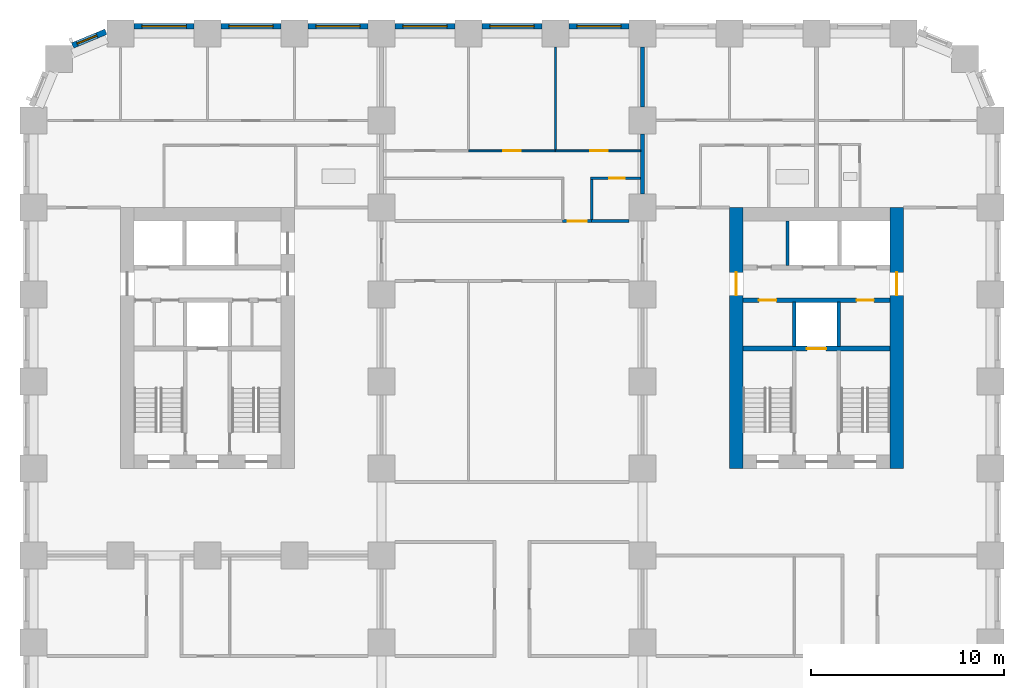
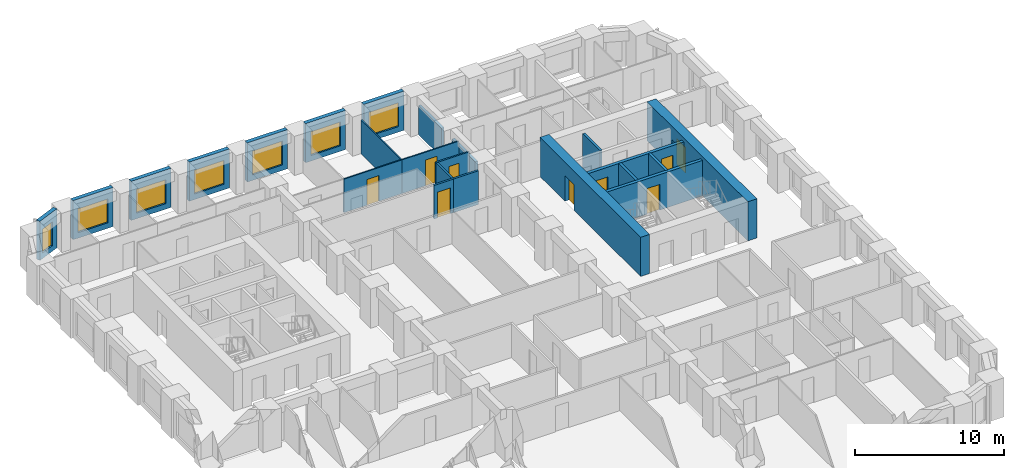
# One storey, part 8 of 13: 23 walls, 9 doors, 7 windows, 16 openings.
"""IFC4 building model written with IfcOpenShell, lengths in metres."""

from ifc_helpers import new_model, si_unit, direction, frame, frame_2d, origin, place, context, subcontext, project, spatial, rectangle, extrude, material, layer, layer_set, type_object, element, fill, save


model = new_model("IFC4")

# Units and contexts
model_context = context("Model", 3, precision=1e-05, world=origin(), true_north=direction((0.0, 1.0)))
body_context = subcontext(model_context, "Body", "Model", "MODEL_VIEW")
ifc_project = project(units=[si_unit("LENGTHUNIT", "METRE"), si_unit("AREAUNIT", "SQUARE_METRE"), si_unit("VOLUMEUNIT", "CUBIC_METRE"), si_unit("PLANEANGLEUNIT", "RADIAN"), si_unit("MASSUNIT", "GRAM", prefix="KILO")], contexts=[model_context])

# Site, building, storey
site_placement = place(None, origin())
site = spatial("IfcSite", under=ifc_project, at=site_placement, CompositionType="ELEMENT")
building_placement = place(site_placement, origin())
building = spatial("IfcBuilding", under=site, at=building_placement, Name="Girih Gate Residences", CompositionType="ELEMENT")
storey_placement = place(building_placement, frame((0.0, 0.0, 46.39990234375)))
storey = spatial("IfcBuildingStorey", under=building, at=storey_placement, Name="L11", CompositionType="ELEMENT", Elevation=46.39990234375)

# Wall
ifc_material_1 = material(Name="Gypsum board on steel studs", Category="steel")
ifc_layer_1 = layer(ifc_material_1, 0.14990234375)
ifc_layer_set_1 = layer_set([ifc_layer_1], Name="Compartment wall 150 mm")
wall_type_1 = type_object("IfcWallType", Name="Compartment wall 150 mm", PredefinedType="PARTITIONING", material=ifc_layer_set_1)
wall_1_placement = place(storey_placement, frame((28.875, 39.800048828125, 0.0), z_axis=(0.0, 0.0, 1.0), x_axis=(1.0, 0.0, 0.0)))
element("IfcWall", 1, at=wall_1_placement, inside=storey, type_object=wall_type_1, Name="L11 partition", PredefinedType="PARTITIONING", context=body_context, shape_type="SweptSolid", body=[
    extrude(rectangle(XDim=1.925048828125, YDim=0.14990234375, at=frame_2d((0.96240234375, 0.0))), origin(), (0.0, 0.0, 1.0), 2.75),
])

# Wall, opening, door
wall_2_placement = place(storey_placement, frame((27.375, 39.800048828125, 0.0), z_axis=(0.0, 0.0, 1.0), x_axis=(1.0, 0.0, 0.0)))
wall_2 = element("IfcWall", 2, at=wall_2_placement, inside=storey, type_object=wall_type_1, Name="L11 partition", PredefinedType="PARTITIONING", context=body_context, shape_type="SweptSolid", body=[
    extrude(rectangle(XDim=1.5, YDim=0.14990234375, at=frame_2d((0.75, 0.0))), origin(), (0.0, 0.0, 1.0), 2.75),
])
opening_1_placement = place(wall_2_placement, frame((0.25, 0.0, 0.0)))
opening_1 = element("IfcOpeningElement", 3, at=opening_1_placement, cuts=wall_2, Name="Opening A11-043", PredefinedType="OPENING", context=body_context, shape_type="SweptSolid", body=[
    extrude(rectangle(XDim=1.0, YDim=2.10009765625, at=frame_2d((0.5, 1.050048828125))), frame((0.0, 0.0849609375, 0.0), z_axis=(0.0, -1.0, 0.0), x_axis=(1.0, 0.0, 0.0)), (0.0, 0.0, 1.0), 0.169921875),
])
ifc_material_2 = material(Name="Timber, fire-rated core", Category="wood")
door_type_1 = type_object("IfcDoorType", Name="Flat entrance door 1000x2100 FD30S", OperationType="NOTDEFINED", PredefinedType="DOOR", material=ifc_material_2)
door_1_placement = place(opening_1_placement, origin())
door_1 = element("IfcDoor", 4, at=door_1_placement, inside=storey, type_object=door_type_1, Name="Door A11-043", OperationType="SINGLE_SWING_RIGHT", OverallHeight=2.10009765625, OverallWidth=1.0, PredefinedType="DOOR", context=body_context, shape_type="SweptSolid", body=[
    extrude(rectangle(XDim=1.0, YDim=2.10009765625, at=frame_2d((0.5, 1.050048828125))), frame((0.0, 0.02490234375, 0.0), z_axis=(0.0, -1.0, 0.0), x_axis=(1.0, 0.0, 0.0)), (0.0, 0.0, 1.0), 0.050048828125),
])
fill(opening_1, door_1)

ifc_material_3 = material(Name="Concrete C60/75", Category="concrete")
ifc_layer_2 = layer(ifc_material_3, 0.699951171875)
ifc_layer_set_2 = layer_set([ifc_layer_2], Name="Core wall RC 700 Concrete C60/75")
wall_type_2 = type_object("IfcWallType", Name="Core wall RC 700 Concrete C60/75", PredefinedType="SOLIDWALL", material=ifc_layer_set_2)
wall_3_placement = place(storey_placement, frame((36.35009765625, 27.0, 0.0), z_axis=(0.0, 0.0, 1.0), x_axis=(0.0, 1.0, 0.0)))
wall_3 = element("IfcWall", 5, at=wall_3_placement, inside=storey, type_object=wall_type_2, Name="Core wall E-W L11", PredefinedType="SOLIDWALL", context=body_context, shape_type="SweptSolid", body=[
    extrude(rectangle(XDim=13.5, YDim=0.699951171875, at=frame_2d((6.75, 0.0))), origin(), (0.0, 0.0, 1.0), 3.2001953125),
])
opening_2_placement = place(wall_3_placement, frame((8.949951171875, 0.0, 0.0)))
opening_2 = element("IfcOpeningElement", 6, at=opening_2_placement, cuts=wall_3, Name="Opening D-L11-E-012", PredefinedType="OPENING", context=body_context, shape_type="SweptSolid", body=[
    extrude(rectangle(XDim=1.199951171875, YDim=2.10009765625, at=frame_2d((0.60009765625, 1.050048828125))), frame((0.0, 0.35986328125, 0.0), z_axis=(0.0, -1.0, 0.0), x_axis=(1.0, 0.0, 0.0)), (0.0, 0.0, 1.0), 0.719970703125),
])
ifc_material_4 = material(Name="Painted steel, fire-resisting", Category="steel")
door_type_2 = type_object("IfcDoorType", Name="Fire door 1200x2100", OperationType="SINGLE_SWING_LEFT", PredefinedType="DOOR", material=ifc_material_4)
door_2_placement = place(opening_2_placement, origin())
door_2 = element("IfcDoor", 7, at=door_2_placement, inside=storey, type_object=door_type_2, Name="L11 E core door ll-w", OperationType="SINGLE_SWING_LEFT", OverallHeight=2.10009765625, OverallWidth=1.199951171875, PredefinedType="DOOR", context=body_context, shape_type="SweptSolid", body=[
    extrude(rectangle(XDim=1.199951171875, YDim=2.10009765625, at=frame_2d((0.60009765625, 1.050048828125))), frame((0.0, 0.02490234375, 0.0), z_axis=(0.0, -1.0, 0.0), x_axis=(1.0, 0.0, 0.0)), (0.0, 0.0, 1.0), 0.050048828125),
])
fill(opening_2, door_2)

wall_4_placement = place(storey_placement, frame((44.64990234375, 27.0, 0.0), z_axis=(0.0, 0.0, 1.0), x_axis=(0.0, 1.0, 0.0)))
wall_4 = element("IfcWall", 8, at=wall_4_placement, inside=storey, type_object=wall_type_2, Name="Core wall E-E L11", PredefinedType="SOLIDWALL", context=body_context, shape_type="SweptSolid", body=[
    extrude(rectangle(XDim=13.5, YDim=0.699951171875, at=frame_2d((6.75, 0.0))), origin(), (0.0, 0.0, 1.0), 3.2001953125),
])
opening_3_placement = place(wall_4_placement, frame((8.949951171875, 0.0, 0.0)))
opening_3 = element("IfcOpeningElement", 9, at=opening_3_placement, cuts=wall_4, Name="Opening D-L11-E-013", PredefinedType="OPENING", context=body_context, shape_type="SweptSolid", body=[
    extrude(rectangle(XDim=1.199951171875, YDim=2.10009765625, at=frame_2d((0.60009765625, 1.050048828125))), frame((0.0, 0.35986328125, 0.0), z_axis=(0.0, -1.0, 0.0), x_axis=(1.0, 0.0, 0.0)), (0.0, 0.0, 1.0), 0.719970703125),
])
door_3_placement = place(opening_3_placement, origin())
door_3 = element("IfcDoor", 10, at=door_3_placement, inside=storey, type_object=door_type_2, Name="L11 E core door ll-e", OperationType="SINGLE_SWING_LEFT", OverallHeight=2.10009765625, OverallWidth=1.199951171875, PredefinedType="DOOR", context=body_context, shape_type="SweptSolid", body=[
    extrude(rectangle(XDim=1.199951171875, YDim=2.10009765625, at=frame_2d((0.60009765625, 1.050048828125))), frame((0.0, 0.02490234375, 0.0), z_axis=(0.0, -1.0, 0.0), x_axis=(1.0, 0.0, 0.0)), (0.0, 0.0, 1.0), 0.050048828125),
])
fill(opening_3, door_3)

ifc_material_5 = material(Name="Concrete C40/50", Category="concrete")
ifc_layer_3 = layer(ifc_material_5, 0.25)
ifc_layer_set_3 = layer_set([ifc_layer_3], Name="Lift shaft wall 250")
wall_type_3 = type_object("IfcWallType", Name="Lift shaft wall 250", PredefinedType="SOLIDWALL", material=ifc_layer_set_3)
wall_5_placement = place(storey_placement, frame((36.699951171875, 33.199951171875, 0.0), z_axis=(0.0, 0.0, 1.0), x_axis=(1.0, 0.0, 0.0)))
wall_5 = element("IfcWall", 11, at=wall_5_placement, inside=storey, type_object=wall_type_3, Name="L11 E core wall H1", PredefinedType="SOLIDWALL", context=body_context, shape_type="SweptSolid", body=[
    extrude(rectangle(XDim=7.60009765625, YDim=0.25, at=frame_2d((3.800048828125, 0.0))), origin(), (0.0, 0.0, 1.0), 2.900146484375),
])
opening_4_placement = place(wall_5_placement, frame((3.300048828125, 0.0, 0.0)))
opening_4 = element("IfcOpeningElement", 12, at=opening_4_placement, cuts=wall_5, Name="Opening D-L11-E-005", PredefinedType="OPENING", context=body_context, shape_type="SweptSolid", body=[
    extrude(rectangle(XDim=1.0, YDim=2.10009765625, at=frame_2d((0.5, 1.050048828125))), frame((0.0, 0.135009765625, 0.0), z_axis=(0.0, -1.0, 0.0), x_axis=(1.0, 0.0, 0.0)), (0.0, 0.0, 1.0), 0.27001953125),
])
ifc_material_6 = material(Name="Stainless steel, fire-resisting", Category="steel")
door_type_3 = type_object("IfcDoorType", Name="Firefighting lift landing door 1000x2100", OperationType="SLIDING_TO_LEFT", PredefinedType="DOOR", material=ifc_material_6)
door_4_placement = place(opening_4_placement, origin())
door_4 = element("IfcDoor", 13, at=door_4_placement, inside=storey, type_object=door_type_3, Name="L11 lift FF-E landing door", OperationType="SLIDING_TO_LEFT", OverallHeight=2.10009765625, OverallWidth=1.0, PredefinedType="DOOR", context=body_context, shape_type="SweptSolid", body=[
    extrude(rectangle(XDim=1.0, YDim=2.10009765625, at=frame_2d((0.5, 1.050048828125))), frame((0.0, 0.02490234375, 0.0), z_axis=(0.0, -1.0, 0.0), x_axis=(1.0, 0.0, 0.0)), (0.0, 0.0, 1.0), 0.050048828125),
])
fill(opening_4, door_4)

# Wall, openings, doors
wall_6_placement = place(storey_placement, frame((36.699951171875, 35.699951171875, 0.0), z_axis=(0.0, 0.0, 1.0), x_axis=(1.0, 0.0, 0.0)))
wall_6 = element("IfcWall", 14, at=wall_6_placement, inside=storey, type_object=wall_type_3, Name="L11 E core wall H2", PredefinedType="SOLIDWALL", context=body_context, shape_type="SweptSolid", body=[
    extrude(rectangle(XDim=7.60009765625, YDim=0.25, at=frame_2d((3.800048828125, 0.0))), origin(), (0.0, 0.0, 1.0), 2.900146484375),
])
opening_5_placement = place(wall_6_placement, frame((5.875, 0.0, 0.0)))
opening_5 = element("IfcOpeningElement", 15, at=opening_5_placement, cuts=wall_6, Name="Opening D-L11-E-007", PredefinedType="OPENING", context=body_context, shape_type="SweptSolid", body=[
    extrude(rectangle(XDim=0.89990234375, YDim=2.10009765625, at=frame_2d((0.449951171875, 1.050048828125))), frame((0.0, 0.135009765625, 0.0), z_axis=(0.0, -1.0, 0.0), x_axis=(1.0, 0.0, 0.0)), (0.0, 0.0, 1.0), 0.27001953125),
])
opening_6_placement = place(wall_6_placement, frame((0.824951171875, 0.0, 0.0)))
opening_6 = element("IfcOpeningElement", 16, at=opening_6_placement, cuts=wall_6, Name="Opening D-L11-E-008", PredefinedType="OPENING", context=body_context, shape_type="SweptSolid", body=[
    extrude(rectangle(XDim=0.89990234375, YDim=2.10009765625, at=frame_2d((0.449951171875, 1.050048828125))), frame((0.0, 0.135009765625, 0.0), z_axis=(0.0, -1.0, 0.0), x_axis=(1.0, 0.0, 0.0)), (0.0, 0.0, 1.0), 0.27001953125),
])
door_type_4 = type_object("IfcDoorType", Name="Fire door 900x2100", OperationType="SINGLE_SWING_LEFT", PredefinedType="DOOR", material=ifc_material_4)
door_5_placement = place(opening_5_placement, origin())
door_5 = element("IfcDoor", 17, at=door_5_placement, inside=storey, type_object=door_type_4, Name="L11 E pantry door", OperationType="SINGLE_SWING_LEFT", OverallHeight=2.10009765625, OverallWidth=0.89990234375, PredefinedType="DOOR", context=body_context, shape_type="SweptSolid", body=[
    extrude(rectangle(XDim=0.89990234375, YDim=2.10009765625, at=frame_2d((0.449951171875, 1.050048828125))), frame((0.0, 0.02490234375, 0.0), z_axis=(0.0, -1.0, 0.0), x_axis=(1.0, 0.0, 0.0)), (0.0, 0.0, 1.0), 0.050048828125),
])
fill(opening_5, door_5)
door_6_placement = place(opening_6_placement, origin())
door_6 = element("IfcDoor", 18, at=door_6_placement, inside=storey, type_object=door_type_4, Name="L11 E comms room door", OperationType="SINGLE_SWING_LEFT", OverallHeight=2.10009765625, OverallWidth=0.89990234375, PredefinedType="DOOR", context=body_context, shape_type="SweptSolid", body=[
    extrude(rectangle(XDim=0.89990234375, YDim=2.10009765625, at=frame_2d((0.449951171875, 1.050048828125))), frame((0.0, 0.02490234375, 0.0), z_axis=(0.0, -1.0, 0.0), x_axis=(1.0, 0.0, 0.0)), (0.0, 0.0, 1.0), 0.050048828125),
])
fill(opening_6, door_6)

# Wall
ifc_layer_4 = layer(ifc_material_1, 0.10009765625)
ifc_layer_set_4 = layer_set([ifc_layer_4], Name="Partition 100 mm")
wall_type_4 = type_object("IfcWallType", Name="Partition 100 mm", PredefinedType="PARTITIONING", material=ifc_layer_set_4)
wall_7_placement = place(storey_placement, frame((27.0, 43.47998046875, 0.0), z_axis=(0.0, 0.0, 1.0), x_axis=(0.0, 1.0, 0.0)))
element("IfcWall", 19, at=wall_7_placement, inside=storey, type_object=wall_type_4, Name="L11 partition", PredefinedType="PARTITIONING", context=body_context, shape_type="SweptSolid", body=[
    extrude(rectangle(XDim=5.320068359375, YDim=0.10009765625, at=frame_2d((2.66015625, 0.0))), origin(), (0.0, 0.0, 1.0), 2.75),
])

# Wall, opening, door
wall_8_placement = place(storey_placement, frame((22.5, 43.429931640625, 0.0), z_axis=(0.0, 0.0, 1.0), x_axis=(1.0, 0.0, 0.0)))
wall_8 = element("IfcWall", 20, at=wall_8_placement, inside=storey, type_object=wall_type_4, Name="L11 partition", PredefinedType="PARTITIONING", context=body_context, shape_type="SweptSolid", body=[
    extrude(rectangle(XDim=4.5, YDim=0.10009765625, at=frame_2d((2.25, 0.0))), origin(), (0.0, 0.0, 1.0), 2.75),
])
opening_7_placement = place(wall_8_placement, frame((1.800048828125, 0.0, 0.0)))
opening_7 = element("IfcOpeningElement", 21, at=opening_7_placement, cuts=wall_8, Name="Opening A11-039", PredefinedType="OPENING", context=body_context, shape_type="SweptSolid", body=[
    extrude(rectangle(XDim=0.89990234375, YDim=2.10009765625, at=frame_2d((0.449951171875, 1.050048828125))), frame((0.0, 0.06005859375, 0.0), z_axis=(0.0, -1.0, 0.0), x_axis=(1.0, 0.0, 0.0)), (0.0, 0.0, 1.0), 0.1201171875),
])
ifc_material_7 = material(Name="Timber", Category="wood")
door_type_5 = type_object("IfcDoorType", Name="Bedroom door 900x2100", OperationType="NOTDEFINED", PredefinedType="DOOR", material=ifc_material_7)
door_7_placement = place(opening_7_placement, origin())
door_7 = element("IfcDoor", 22, at=door_7_placement, inside=storey, type_object=door_type_5, Name="Door A11-039", OperationType="SINGLE_SWING_LEFT", OverallHeight=2.10009765625, OverallWidth=0.89990234375, PredefinedType="DOOR", context=body_context, shape_type="SweptSolid", body=[
    extrude(rectangle(XDim=0.89990234375, YDim=2.10009765625, at=frame_2d((0.449951171875, 1.050048828125))), frame((0.0, 0.02490234375, 0.0), z_axis=(0.0, -1.0, 0.0), x_axis=(1.0, 0.0, 0.0)), (0.0, 0.0, 1.0), 0.050048828125),
])
fill(opening_7, door_7)

wall_9_placement = place(storey_placement, frame((27.0, 43.429931640625, 0.0), z_axis=(0.0, 0.0, 1.0), x_axis=(1.0, 0.0, 0.0)))
wall_9 = element("IfcWall", 23, at=wall_9_placement, inside=storey, type_object=wall_type_4, Name="L11 partition", PredefinedType="PARTITIONING", context=body_context, shape_type="SweptSolid", body=[
    extrude(rectangle(XDim=4.39990234375, YDim=0.10009765625, at=frame_2d((2.199951171875, 0.0))), origin(), (0.0, 0.0, 1.0), 2.75),
])
opening_8_placement = place(wall_9_placement, frame((1.800048828125, 0.0, 0.0)))
opening_8 = element("IfcOpeningElement", 24, at=opening_8_placement, cuts=wall_9, Name="Opening A11-040", PredefinedType="OPENING", context=body_context, shape_type="SweptSolid", body=[
    extrude(rectangle(XDim=0.89990234375, YDim=2.10009765625, at=frame_2d((0.449951171875, 1.050048828125))), frame((0.0, 0.06005859375, 0.0), z_axis=(0.0, -1.0, 0.0), x_axis=(1.0, 0.0, 0.0)), (0.0, 0.0, 1.0), 0.1201171875),
])
door_8_placement = place(opening_8_placement, origin())
door_8 = element("IfcDoor", 25, at=door_8_placement, inside=storey, type_object=door_type_5, Name="Door A11-040", OperationType="SINGLE_SWING_RIGHT", OverallHeight=2.10009765625, OverallWidth=0.89990234375, PredefinedType="DOOR", context=body_context, shape_type="SweptSolid", body=[
    extrude(rectangle(XDim=0.89990234375, YDim=2.10009765625, at=frame_2d((0.449951171875, 1.050048828125))), frame((0.0, 0.02490234375, 0.0), z_axis=(0.0, -1.0, 0.0), x_axis=(1.0, 0.0, 0.0)), (0.0, 0.0, 1.0), 0.050048828125),
])
fill(opening_8, door_8)

# Walls
ifc_layer_5 = layer(ifc_material_1, 0.199951171875)
ifc_layer_set_5 = layer_set([ifc_layer_5], Name="Party wall 200 mm")
wall_type_5 = type_object("IfcWallType", Name="Party wall 200 mm", PredefinedType="PARTITIONING", material=ifc_layer_set_5)
for number, where, z_axis, x_axis, name in (
    (26, (31.5, 41.199951171875, 0.0), (0.0, 0.0, 1.0), (0.0, 1.0, 0.0), "L11 partition"),
    (27, (31.5, 45.699951171875, 0.0), (0.0, 0.0, 1.0), (0.0, 1.0, 0.0), "L11 partition"),
):
    element("IfcWall", number, at=place(storey_placement, frame(where, z_axis=z_axis, x_axis=x_axis)), inside=storey, type_object=wall_type_5, Name=name, PredefinedType="PARTITIONING", context=body_context, shape_type="SweptSolid", body=[
        extrude(rectangle(XDim=3.10009765625, YDim=0.199951171875, at=frame_2d((1.550048828125, 0.0))), origin(), (0.0, 0.0, 1.0), 2.380126953125),
    ])

# Wall, opening, window
ifc_material_8 = material(Name="Precast concrete C50/60", Category="concrete")
ifc_layer_6 = layer(ifc_material_8, 0.080078125, Name="Outer leaf")
ifc_material_9 = material(Name="Rigid PIR insulation")
ifc_layer_7 = layer(ifc_material_9, 0.14990234375, Name="Insulation")
ifc_material_10 = material(Name="Precast concrete C40/50", Category="concrete")
ifc_layer_8 = layer(ifc_material_10, 0.070068359375, Name="Inner leaf")
ifc_layer_set_6 = layer_set([ifc_layer_6, ifc_layer_7, ifc_layer_8], Name="Precast concrete C50/60 external wall 300")
wall_type_6 = type_object("IfcWallType", Name="Precast concrete C50/60 external wall 300", PredefinedType="SOLIDWALL", material=ifc_layer_set_6)
wall_10_placement = place(storey_placement, frame((27.699951171875, 49.875, 0.0), z_axis=(0.0, 0.0, 1.0), x_axis=(1.0, 0.0, 0.0)))
wall_10 = element("IfcWall", 28, at=wall_10_placement, inside=storey, type_object=wall_type_6, Name="External wall N0450_0495.3", PredefinedType="SOLIDWALL", context=body_context, shape_type="SweptSolid", body=[
    extrude(rectangle(XDim=3.10009765625, YDim=0.300048828125, at=frame_2d((1.550048828125, 0.0))), origin(), (0.0, 0.0, 1.0), 3.2001953125),
])
opening_9_placement = place(wall_10_placement, frame((0.39990234375, 0.0, 0.449951171875)))
opening_9 = element("IfcOpeningElement", 29, at=opening_9_placement, cuts=wall_10, Name="Opening W-1", PredefinedType="OPENING", context=body_context, shape_type="SweptSolid", body=[
    extrude(rectangle(XDim=2.300048828125, YDim=1.949951171875, at=frame_2d((1.14990234375, 0.97509765625))), frame((0.0, 0.159912109375, 0.0), z_axis=(0.0, -1.0, 0.0), x_axis=(1.0, 0.0, 0.0)), (0.0, 0.0, 1.0), 0.320068359375),
])
ifc_material_11 = material(Name="Double glazing in aluminium frame", Category="aluminium")
window_type_1 = type_object("IfcWindowType", Name="Window W-1 2300x1950", PartitioningType="SINGLE_PANEL", PredefinedType="WINDOW", material=ifc_material_11)
window_1_placement = place(opening_9_placement, origin())
window_1 = element("IfcWindow", 30, at=window_1_placement, inside=storey, type_object=window_type_1, Name="Window W-1 N0450_0495.3", OverallHeight=1.949951171875, OverallWidth=2.300048828125, PartitioningType="SINGLE_PANEL", PredefinedType="WINDOW", context=body_context, shape_type="SweptSolid", body=[
    extrude(rectangle(XDim=2.300048828125, YDim=1.949951171875, at=frame_2d((1.14990234375, 0.97509765625))), frame((0.0, 0.030029296875, 0.0), z_axis=(0.0, -1.0, 0.0), x_axis=(1.0, 0.0, 0.0)), (0.0, 0.0, 1.0), 0.06005859375),
])
fill(opening_9, window_1)

wall_11_placement = place(storey_placement, frame((23.199951171875, 49.875, 0.0), z_axis=(0.0, 0.0, 1.0), x_axis=(1.0, 0.0, 0.0)))
wall_11 = element("IfcWall", 31, at=wall_11_placement, inside=storey, type_object=wall_type_6, Name="External wall N0450_0495.4", PredefinedType="SOLIDWALL", context=body_context, shape_type="SweptSolid", body=[
    extrude(rectangle(XDim=3.10009765625, YDim=0.300048828125, at=frame_2d((1.550048828125, 0.0))), origin(), (0.0, 0.0, 1.0), 3.2001953125),
])
opening_10_placement = place(wall_11_placement, frame((0.39990234375, 0.0, 0.449951171875)))
opening_10 = element("IfcOpeningElement", 32, at=opening_10_placement, cuts=wall_11, Name="Opening W-1", PredefinedType="OPENING", context=body_context, shape_type="SweptSolid", body=[
    extrude(rectangle(XDim=2.300048828125, YDim=1.949951171875, at=frame_2d((1.14990234375, 0.97509765625))), frame((0.0, 0.159912109375, 0.0), z_axis=(0.0, -1.0, 0.0), x_axis=(1.0, 0.0, 0.0)), (0.0, 0.0, 1.0), 0.320068359375),
])
window_2_placement = place(opening_10_placement, origin())
window_2 = element("IfcWindow", 33, at=window_2_placement, inside=storey, type_object=window_type_1, Name="Window W-1 N0450_0495.4", OverallHeight=1.949951171875, OverallWidth=2.300048828125, PartitioningType="SINGLE_PANEL", PredefinedType="WINDOW", context=body_context, shape_type="SweptSolid", body=[
    extrude(rectangle(XDim=2.300048828125, YDim=1.949951171875, at=frame_2d((1.14990234375, 0.97509765625))), frame((0.0, 0.030029296875, 0.0), z_axis=(0.0, -1.0, 0.0), x_axis=(1.0, 0.0, 0.0)), (0.0, 0.0, 1.0), 0.06005859375),
])
fill(opening_10, window_2)

wall_12_placement = place(storey_placement, frame((18.699951171875, 49.875, 0.0), z_axis=(0.0, 0.0, 1.0), x_axis=(1.0, 0.0, 0.0)))
wall_12 = element("IfcWall", 34, at=wall_12_placement, inside=storey, type_object=wall_type_6, Name="External wall N0450_0495.5", PredefinedType="SOLIDWALL", context=body_context, shape_type="SweptSolid", body=[
    extrude(rectangle(XDim=3.10009765625, YDim=0.300048828125, at=frame_2d((1.550048828125, 0.0))), origin(), (0.0, 0.0, 1.0), 3.2001953125),
])
opening_11_placement = place(wall_12_placement, frame((0.39990234375, 0.0, 0.449951171875)))
opening_11 = element("IfcOpeningElement", 35, at=opening_11_placement, cuts=wall_12, Name="Opening W-1", PredefinedType="OPENING", context=body_context, shape_type="SweptSolid", body=[
    extrude(rectangle(XDim=2.300048828125, YDim=1.949951171875, at=frame_2d((1.14990234375, 0.97509765625))), frame((0.0, 0.159912109375, 0.0), z_axis=(0.0, -1.0, 0.0), x_axis=(1.0, 0.0, 0.0)), (0.0, 0.0, 1.0), 0.320068359375),
])
window_3_placement = place(opening_11_placement, origin())
window_3 = element("IfcWindow", 36, at=window_3_placement, inside=storey, type_object=window_type_1, Name="Window W-1 N0450_0495.5", OverallHeight=1.949951171875, OverallWidth=2.300048828125, PartitioningType="SINGLE_PANEL", PredefinedType="WINDOW", context=body_context, shape_type="SweptSolid", body=[
    extrude(rectangle(XDim=2.300048828125, YDim=1.949951171875, at=frame_2d((1.14990234375, 0.97509765625))), frame((0.0, 0.030029296875, 0.0), z_axis=(0.0, -1.0, 0.0), x_axis=(1.0, 0.0, 0.0)), (0.0, 0.0, 1.0), 0.06005859375),
])
fill(opening_11, window_3)

wall_13_placement = place(storey_placement, frame((14.199951171875, 49.875, 0.0), z_axis=(0.0, 0.0, 1.0), x_axis=(1.0, 0.0, 0.0)))
wall_13 = element("IfcWall", 37, at=wall_13_placement, inside=storey, type_object=wall_type_6, Name="External wall N0450_0495.6", PredefinedType="SOLIDWALL", context=body_context, shape_type="SweptSolid", body=[
    extrude(rectangle(XDim=3.10009765625, YDim=0.300048828125, at=frame_2d((1.550048828125, 0.0))), origin(), (0.0, 0.0, 1.0), 3.2001953125),
])
opening_12_placement = place(wall_13_placement, frame((0.39990234375, 0.0, 0.449951171875)))
opening_12 = element("IfcOpeningElement", 38, at=opening_12_placement, cuts=wall_13, Name="Opening W-1", PredefinedType="OPENING", context=body_context, shape_type="SweptSolid", body=[
    extrude(rectangle(XDim=2.300048828125, YDim=1.949951171875, at=frame_2d((1.14990234375, 0.97509765625))), frame((0.0, 0.159912109375, 0.0), z_axis=(0.0, -1.0, 0.0), x_axis=(1.0, 0.0, 0.0)), (0.0, 0.0, 1.0), 0.320068359375),
])
window_4_placement = place(opening_12_placement, origin())
window_4 = element("IfcWindow", 39, at=window_4_placement, inside=storey, type_object=window_type_1, Name="Window W-1 N0450_0495.6", OverallHeight=1.949951171875, OverallWidth=2.300048828125, PartitioningType="SINGLE_PANEL", PredefinedType="WINDOW", context=body_context, shape_type="SweptSolid", body=[
    extrude(rectangle(XDim=2.300048828125, YDim=1.949951171875, at=frame_2d((1.14990234375, 0.97509765625))), frame((0.0, 0.030029296875, 0.0), z_axis=(0.0, -1.0, 0.0), x_axis=(1.0, 0.0, 0.0)), (0.0, 0.0, 1.0), 0.06005859375),
])
fill(opening_12, window_4)

wall_14_placement = place(storey_placement, frame((9.699951171875, 49.875, 0.0), z_axis=(0.0, 0.0, 1.0), x_axis=(1.0, 0.0, 0.0)))
wall_14 = element("IfcWall", 40, at=wall_14_placement, inside=storey, type_object=wall_type_6, Name="External wall N0450_0495.7", PredefinedType="SOLIDWALL", context=body_context, shape_type="SweptSolid", body=[
    extrude(rectangle(XDim=3.10009765625, YDim=0.300048828125, at=frame_2d((1.550048828125, 0.0))), origin(), (0.0, 0.0, 1.0), 3.2001953125),
])
opening_13_placement = place(wall_14_placement, frame((0.39990234375, 0.0, 0.449951171875)))
opening_13 = element("IfcOpeningElement", 41, at=opening_13_placement, cuts=wall_14, Name="Opening W-1", PredefinedType="OPENING", context=body_context, shape_type="SweptSolid", body=[
    extrude(rectangle(XDim=2.300048828125, YDim=1.949951171875, at=frame_2d((1.14990234375, 0.97509765625))), frame((0.0, 0.159912109375, 0.0), z_axis=(0.0, -1.0, 0.0), x_axis=(1.0, 0.0, 0.0)), (0.0, 0.0, 1.0), 0.320068359375),
])
window_5_placement = place(opening_13_placement, origin())
window_5 = element("IfcWindow", 42, at=window_5_placement, inside=storey, type_object=window_type_1, Name="Window W-1 N0450_0495.7", OverallHeight=1.949951171875, OverallWidth=2.300048828125, PartitioningType="SINGLE_PANEL", PredefinedType="WINDOW", context=body_context, shape_type="SweptSolid", body=[
    extrude(rectangle(XDim=2.300048828125, YDim=1.949951171875, at=frame_2d((1.14990234375, 0.97509765625))), frame((0.0, 0.030029296875, 0.0), z_axis=(0.0, -1.0, 0.0), x_axis=(1.0, 0.0, 0.0)), (0.0, 0.0, 1.0), 0.06005859375),
])
fill(opening_13, window_5)

wall_15_placement = place(storey_placement, frame((5.199951171875, 49.875, 0.0), z_axis=(0.0, 0.0, 1.0), x_axis=(1.0, 0.0, 0.0)))
wall_15 = element("IfcWall", 43, at=wall_15_placement, inside=storey, type_object=wall_type_6, Name="External wall N0450_0495.8", PredefinedType="SOLIDWALL", context=body_context, shape_type="SweptSolid", body=[
    extrude(rectangle(XDim=3.10009765625, YDim=0.300048828125, at=frame_2d((1.550048828125, 0.0))), origin(), (0.0, 0.0, 1.0), 3.2001953125),
])
opening_14_placement = place(wall_15_placement, frame((0.39990234375, 0.0, 0.449951171875)))
opening_14 = element("IfcOpeningElement", 44, at=opening_14_placement, cuts=wall_15, Name="Opening W-1", PredefinedType="OPENING", context=body_context, shape_type="SweptSolid", body=[
    extrude(rectangle(XDim=2.300048828125, YDim=1.949951171875, at=frame_2d((1.14990234375, 0.97509765625))), frame((0.0, 0.159912109375, 0.0), z_axis=(0.0, -1.0, 0.0), x_axis=(1.0, 0.0, 0.0)), (0.0, 0.0, 1.0), 0.320068359375),
])
window_6_placement = place(opening_14_placement, origin())
window_6 = element("IfcWindow", 45, at=window_6_placement, inside=storey, type_object=window_type_1, Name="Window W-1 N0450_0495.8", OverallHeight=1.949951171875, OverallWidth=2.300048828125, PartitioningType="SINGLE_PANEL", PredefinedType="WINDOW", context=body_context, shape_type="SweptSolid", body=[
    extrude(rectangle(XDim=2.300048828125, YDim=1.949951171875, at=frame_2d((1.14990234375, 0.97509765625))), frame((0.0, 0.030029296875, 0.0), z_axis=(0.0, -1.0, 0.0), x_axis=(1.0, 0.0, 0.0)), (0.0, 0.0, 1.0), 0.06005859375),
])
fill(opening_14, window_6)

wall_16_placement = place(storey_placement, frame((2.01953125, 48.87841796875, 0.0), z_axis=(0.0, 0.0, 1.0), x_axis=(0.923903565336, 0.38262540684, 0.0)))
wall_16 = element("IfcWall", 46, at=wall_16_placement, inside=storey, type_object=wall_type_6, Name="External wall NW0045_0495.0", PredefinedType="SOLIDWALL", context=body_context, shape_type="SweptSolid", body=[
    extrude(rectangle(XDim=1.864990234375, YDim=0.300048828125, at=frame_2d((0.9326171875, 0.0))), origin(), (0.0, 0.0, 1.0), 3.2001953125),
])
opening_15_placement = place(wall_16_placement, frame((0.257568359375, 0.0, 0.449951171875)))
opening_15 = element("IfcOpeningElement", 47, at=opening_15_placement, cuts=wall_16, Name="Opening W-2C", PredefinedType="OPENING", context=body_context, shape_type="SweptSolid", body=[
    extrude(rectangle(XDim=1.10009765625, YDim=1.949951171875, at=frame_2d((0.550048828125, 0.97509765625))), frame((0.0, 0.159912109375, 0.0), z_axis=(0.0, -1.0, 0.0), x_axis=(1.0, 0.0, 0.0)), (0.0, 0.0, 1.0), 0.320068359375),
])
window_type_2 = type_object("IfcWindowType", Name="Window W-2C 1100x1950", PartitioningType="SINGLE_PANEL", PredefinedType="WINDOW", material=ifc_material_11)
window_7_placement = place(opening_15_placement, origin())
window_7 = element("IfcWindow", 48, at=window_7_placement, inside=storey, type_object=window_type_2, Name="Window W-2C NW0045_0495.0", OverallHeight=1.949951171875, OverallWidth=1.10009765625, PartitioningType="SINGLE_PANEL", PredefinedType="WINDOW", context=body_context, shape_type="SweptSolid", body=[
    extrude(rectangle(XDim=1.10009765625, YDim=1.949951171875, at=frame_2d((0.550048828125, 0.97509765625))), frame((0.0, 0.030029296875, 0.0), z_axis=(0.0, -1.0, 0.0), x_axis=(1.0, 0.0, 0.0)), (0.0, 0.0, 1.0), 0.06005859375),
])
fill(opening_15, window_7)

# Walls
ifc_layer_9 = layer(ifc_material_5, 0.175048828125)
ifc_layer_set_7 = layer_set([ifc_layer_9], Name="Riser shaft wall 175")
wall_type_7 = type_object("IfcWallType", Name="Riser shaft wall 175", PredefinedType="SOLIDWALL", material=ifc_layer_set_7)
wall_17_placement = place(storey_placement, frame((39.0, 37.5, 0.0), z_axis=(0.0, 0.0, 1.0), x_axis=(0.0, 1.0, 0.0)))
element("IfcWall", 49, at=wall_17_placement, inside=storey, type_object=wall_type_7, Name="L11 E core wall V2c", PredefinedType="SOLIDWALL", context=body_context, shape_type="SweptSolid", body=[
    extrude(rectangle(XDim=2.300048828125, YDim=0.175048828125, at=frame_2d((1.14990234375, 0.0))), origin(), (0.0, 0.0, 1.0), 2.900146484375),
])
ifc_layer_10 = layer(ifc_material_5, 0.199951171875)
ifc_layer_set_8 = layer_set([ifc_layer_10], Name="Shaft wall 200")
wall_type_8 = type_object("IfcWallType", Name="Shaft wall 200", PredefinedType="SOLIDWALL", material=ifc_layer_set_8)
for number, where, z_axis, x_axis, name in (
    (50, (41.64990234375, 33.300048828125, 0.0), (0.0, 0.0, 1.0), (0.0, 1.0, 0.0), "L11 E core wall V1b"),
    (51, (39.35009765625, 33.300048828125, 0.0), (0.0, 0.0, 1.0), (0.0, 1.0, 0.0), "L11 E core wall V2b"),
):
    element("IfcWall", number, at=place(storey_placement, frame(where, z_axis=z_axis, x_axis=x_axis)), inside=storey, type_object=wall_type_8, Name=name, PredefinedType="SOLIDWALL", context=body_context, shape_type="SweptSolid", body=[
        extrude(rectangle(XDim=2.300048828125, YDim=0.199951171875, at=frame_2d((1.14990234375, 0.0))), origin(), (0.0, 0.0, 1.0), 2.900146484375),
    ])
ifc_layer_11 = layer(ifc_material_1, 0.125)
ifc_layer_set_9 = layer_set([ifc_layer_11], Name="Wet room wall 125 mm")
wall_type_9 = type_object("IfcWallType", Name="Wet room wall 125 mm", PredefinedType="PARTITIONING", material=ifc_layer_set_9)
wall_18_placement = place(storey_placement, frame((28.875, 39.875, 0.0), z_axis=(0.0, 0.0, 1.0), x_axis=(0.0, 1.0, 0.0)))
element("IfcWall", 52, at=wall_18_placement, inside=storey, type_object=wall_type_9, Name="L11 partition", PredefinedType="PARTITIONING", context=body_context, shape_type="SweptSolid", body=[
    extrude(rectangle(XDim=2.072509765625, YDim=0.125, at=frame_2d((1.0361328125, 0.0))), origin(), (0.0, 0.0, 1.0), 2.75),
])

# Wall, opening, door
wall_19_placement = place(storey_placement, frame((31.39990234375, 42.010009765625, 0.0), z_axis=(0.0, 0.0, 1.0), x_axis=(-1.0, 0.0, 0.0)))
wall_19 = element("IfcWall", 53, at=wall_19_placement, inside=storey, type_object=wall_type_9, Name="L11 partition", PredefinedType="PARTITIONING", context=body_context, shape_type="SweptSolid", body=[
    extrude(rectangle(XDim=2.58740234375, YDim=0.125, at=frame_2d((1.293701171875, 0.0))), origin(), (0.0, 0.0, 1.0), 2.75),
])
opening_16_placement = place(wall_19_placement, frame((0.8125, 0.0, 0.0)))
opening_16 = element("IfcOpeningElement", 54, at=opening_16_placement, cuts=wall_19, Name="Opening A11-038", PredefinedType="OPENING", context=body_context, shape_type="SweptSolid", body=[
    extrude(rectangle(XDim=0.800048828125, YDim=2.10009765625, at=frame_2d((0.39990234375, 1.050048828125))), frame((0.0, 0.072509765625, 0.0), z_axis=(0.0, -1.0, 0.0), x_axis=(1.0, 0.0, 0.0)), (0.0, 0.0, 1.0), 0.14501953125),
])
door_type_6 = type_object("IfcDoorType", Name="Bathroom door 800x2100", OperationType="NOTDEFINED", PredefinedType="DOOR", material=ifc_material_7)
door_9_placement = place(opening_16_placement, origin())
door_9 = element("IfcDoor", 55, at=door_9_placement, inside=storey, type_object=door_type_6, Name="Door A11-038", OperationType="SINGLE_SWING_LEFT", OverallHeight=2.10009765625, OverallWidth=0.800048828125, PredefinedType="DOOR", context=body_context, shape_type="SweptSolid", body=[
    extrude(rectangle(XDim=0.800048828125, YDim=2.10009765625, at=frame_2d((0.39990234375, 1.050048828125))), frame((0.0, 0.02490234375, 0.0), z_axis=(0.0, -1.0, 0.0), x_axis=(1.0, 0.0, 0.0)), (0.0, 0.0, 1.0), 0.050048828125),
])
fill(opening_16, door_9)

save(model, "model.ifc")
